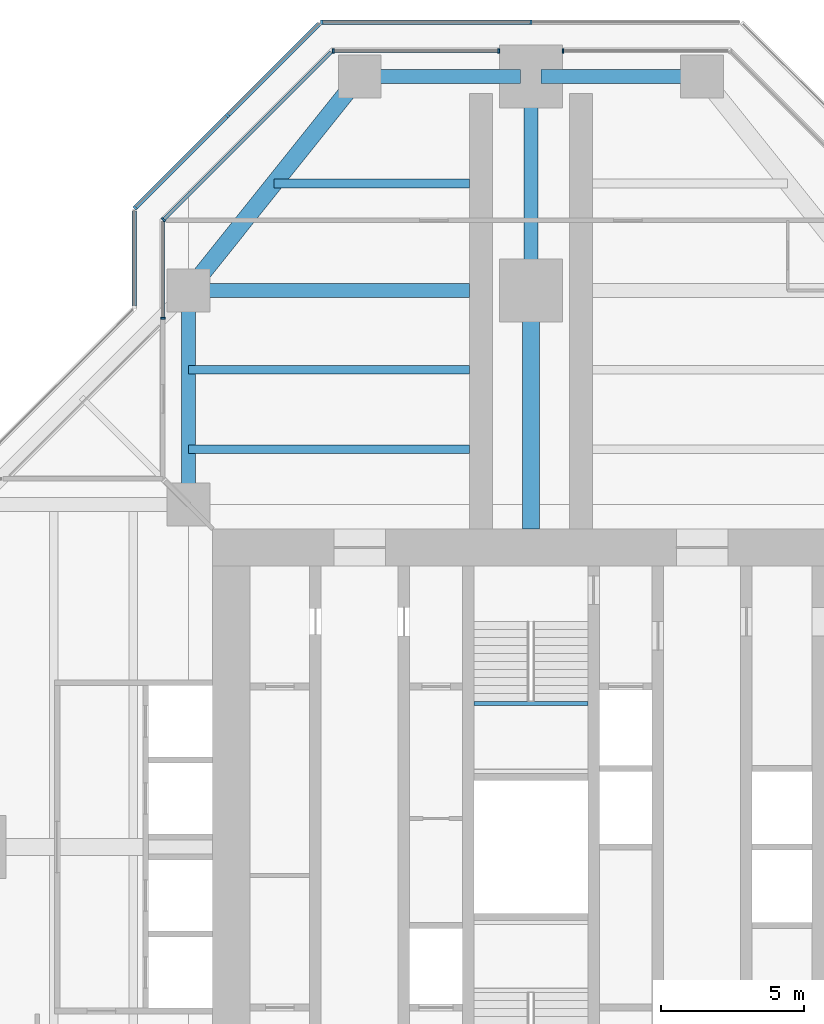
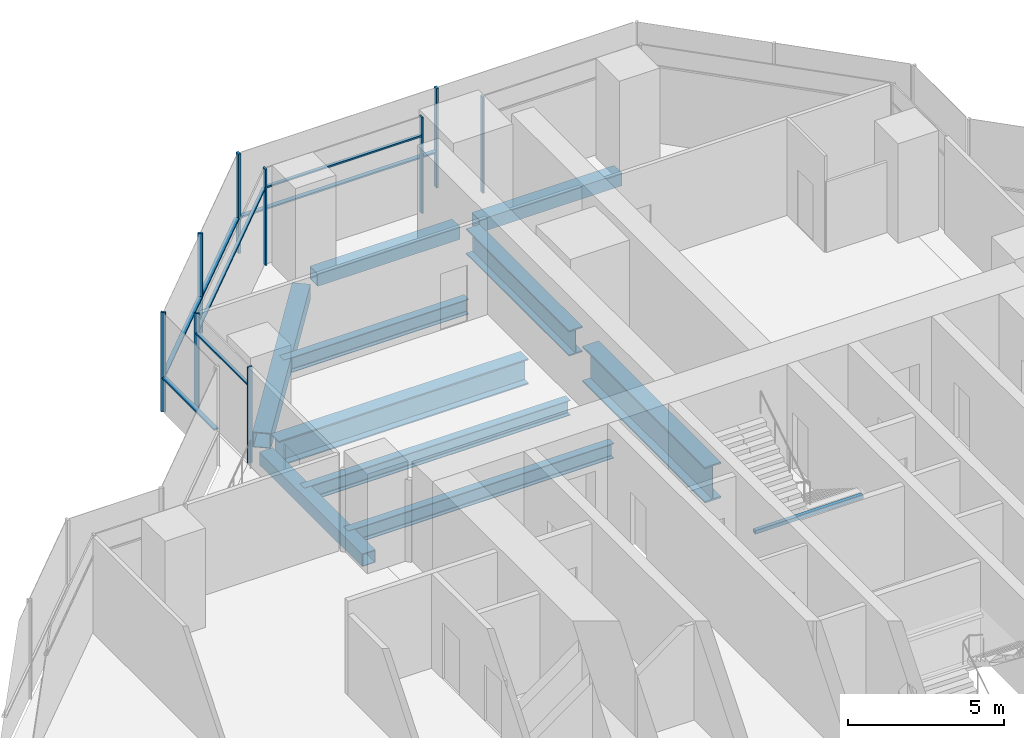
# One storey, part 7 of 17: 16 members, 11 beams, 7 elements without a shape of their own.
"""IFC4 building model written with IfcOpenShell, lengths in metres."""

from ifc_helpers import new_model, si_unit, direction, frame, origin, origin_2d, place, context, subcontext, project, spatial, rectangle, hollow_rectangle, i_section, extrude, material, material_profile, profile_set, type_object, element, aggregate, save


model = new_model("IFC4")

# Units and contexts
model_context = context("Model", 3, precision=1e-05, world=origin(), true_north=direction((0.0, 1.0)))
body_context = subcontext(model_context, "Body", "Model", "MODEL_VIEW")
ifc_project = project(units=[si_unit("LENGTHUNIT", "METRE"), si_unit("AREAUNIT", "SQUARE_METRE"), si_unit("VOLUMEUNIT", "CUBIC_METRE"), si_unit("PLANEANGLEUNIT", "RADIAN"), si_unit("MASSUNIT", "GRAM", prefix="KILO")], contexts=[model_context])

# Site, building, storey
site_placement = place(None, origin())
site = spatial("IfcSite", under=ifc_project, at=site_placement, CompositionType="ELEMENT")
building_placement = place(site_placement, origin())
building = spatial("IfcBuilding", under=site, at=building_placement, Name="Mizan Broadcast Tower", CompositionType="ELEMENT")
storey_placement = place(building_placement, frame((0.0, 0.0, 216.60009765625)))
storey = spatial("IfcBuildingStorey", under=building, at=storey_placement, Name="L50", CompositionType="ELEMENT", Elevation=216.60009765625)

# Beams
ifc_material_1 = material(Name="Steel S355", Category="steel")
ifc_material_profile_1 = material_profile(ifc_material_1, hollow_rectangle(XDim=0.5, YDim=0.5, WallThickness=0.030029296875, at=origin_2d()), Name="BOX 500x500x30")
ifc_profile_set_1 = profile_set([ifc_material_profile_1], Name="Steel S355")
beam_type_1 = type_object("IfcBeamType", Name="EDGE BEAM BOX 500x500x30", PredefinedType="SPANDREL", material=ifc_profile_set_1)
beam_1_placement = place(storey_placement, frame((5.639892578125, 27.0, -0.380126953125), z_axis=(-1.0, 0.0, 0.0), x_axis=(0.0, -1.0, 0.0)))
element("IfcBeam", 1, at=beam_1_placement, inside=storey, type_object=beam_type_1, Name="Edge beam BOX 500x500x30 L50 north arm", PredefinedType="SPANDREL", context=body_context, shape_type="SweptSolid", body=[
    extrude(hollow_rectangle(XDim=0.5, YDim=0.5, WallThickness=0.030029296875, at=origin_2d()), origin(), (0.0, 0.0, 1.0), 5.27978515625),
])
beam_2_placement = place(storey_placement, frame((-12.0, 12.449951171875, -0.380126953125), z_axis=(0.0, 1.0, 0.0), x_axis=(-1.0, 0.0, 0.0)))
element("IfcBeam", 2, at=beam_2_placement, inside=storey, type_object=beam_type_1, Name="Edge beam BOX 500x500x30 L50 north arm", PredefinedType="SPANDREL", context=body_context, shape_type="SweptSolid", body=[
    extrude(hollow_rectangle(XDim=0.5, YDim=0.5, WallThickness=0.030029296875, at=origin_2d()), origin(), (0.0, 0.0, 1.0), 6.60009765625),
])
beam_3_placement = place(storey_placement, frame((-5.639892578125, 27.0, -0.380126953125), z_axis=(1.0, 0.0, 0.0), x_axis=(0.0, 1.0, 0.0)))
element("IfcBeam", 3, at=beam_3_placement, inside=storey, type_object=beam_type_1, Name="Edge beam BOX 500x500x30 L50 north arm", PredefinedType="SPANDREL", context=body_context, shape_type="SweptSolid", body=[
    extrude(hollow_rectangle(XDim=0.5, YDim=0.5, WallThickness=0.030029296875, at=origin_2d()), origin(), (0.0, 0.0, 1.0), 5.27978515625),
])
ifc_material_2 = material(Name="Steel S355", Category="steel")
ifc_material_profile_2 = material_profile(ifc_material_2, hollow_rectangle(XDim=0.60009765625, YDim=0.60009765625, WallThickness=0.030029296875, at=origin_2d()), Name="BOX 600x600x30")
ifc_profile_set_2 = profile_set([ifc_material_profile_2], Name="Steel S355")
beam_type_2 = type_object("IfcBeamType", Name="EDGE BEAM BOX 600x600x30", PredefinedType="SPANDREL", material=ifc_profile_set_2)
beam_4_placement = place(storey_placement, frame((-11.639892578125, 19.949951171875, -0.43017578125), z_axis=(0.624673911726, 0.780885717636, 0.0), x_axis=(-0.780885717636, 0.624673911726, 0.0)))
element("IfcBeam", 4, at=beam_4_placement, inside=storey, type_object=beam_type_2, Name="Edge beam BOX 600x600x30 L50 north arm", PredefinedType="SPANDREL", context=body_context, shape_type="SweptSolid", body=[
    extrude(hollow_rectangle(XDim=0.60009765625, YDim=0.60009765625, WallThickness=0.030029296875, at=origin_2d()), origin(), (0.0, 0.0, 1.0), 8.4521484375),
])
ifc_material_3 = material(Name="Steel S460", Category="steel")
ifc_material_profile_3 = material_profile(ifc_material_3, i_section(OverallWidth=0.5, OverallDepth=1.0, WebThickness=0.02490234375, FlangeThickness=0.050048828125, at=origin_2d()), Name="WPG 1000x500")
ifc_profile_set_3 = profile_set([ifc_material_profile_3], Name="Steel S460")
beam_type_3 = type_object("IfcBeamType", Name="GIRDER WPG 1000x500", PredefinedType="BEAM", material=ifc_profile_set_3)
beam_5_placement = place(storey_placement, frame((0.0, 19.949951171875, -0.630126953125), z_axis=(0.0, 1.0, 0.0), x_axis=(-1.0, 0.0, 0.0)))
element("IfcBeam", 5, at=beam_5_placement, inside=storey, type_object=beam_type_3, Name="Girder WPG 1000x500 L50 north arm", PredefinedType="BEAM", context=body_context, shape_type="SweptSolid", body=[
    extrude(i_section(OverallWidth=0.5, OverallDepth=1.0, WebThickness=0.02490234375, FlangeThickness=0.050048828125, at=origin_2d()), origin(), (0.0, 0.0, 1.0), 6.60009765625),
])
beam_6_placement = place(storey_placement, frame((-11.408935546875, 19.5, -0.630126953125), z_axis=(1.0, 0.0, 0.0), x_axis=(0.0, 1.0, 0.0)))
element("IfcBeam", 6, at=beam_6_placement, inside=storey, type_object=beam_type_3, Name="Girder WPG 1000x500 L50 north arm", PredefinedType="BEAM", context=body_context, shape_type="SweptSolid", body=[
    extrude(i_section(OverallWidth=0.5, OverallDepth=1.0, WebThickness=0.02490234375, FlangeThickness=0.050048828125, at=origin_2d()), origin(), (0.0, 0.0, 1.0), 9.259033203125),
])
ifc_material_4 = material(Name="Steel S460", Category="steel")
ifc_material_profile_4 = material_profile(ifc_material_4, i_section(OverallWidth=0.60009765625, OverallDepth=1.39990234375, WebThickness=0.02490234375, FlangeThickness=0.06005859375, at=origin_2d()), Name="WPG 1400x600")
ifc_profile_set_4 = profile_set([ifc_material_profile_4], Name="Steel S460")
beam_type_4 = type_object("IfcBeamType", Name="GIRDER WPG 1400x600", PredefinedType="BEAM", material=ifc_profile_set_4)
beam_7_placement = place(storey_placement, frame((0.0, 11.14990234375, -0.830078125), z_axis=(0.0, 1.0, 0.0), x_axis=(-1.0, 0.0, 0.0)))
element("IfcBeam", 7, at=beam_7_placement, inside=storey, type_object=beam_type_4, Name="Girder WPG 1400x600 L50 north arm", PredefinedType="BEAM", context=body_context, shape_type="SweptSolid", body=[
    extrude(i_section(OverallWidth=0.60009765625, OverallDepth=1.39990234375, WebThickness=0.02490234375, FlangeThickness=0.06005859375, at=origin_2d()), origin(), (0.0, 0.0, 1.0), 7.84912109375),
])

# Curtain wall, member
ifc_material_5 = material(Name="Aluminium framed glazing", Category="aluminium")
curtain_wall_type_1 = type_object("IfcCurtainWallType", Name="INNER SKIN HIGH ZONE", PredefinedType="USERDEFINED", material=ifc_material_5)
curtain_wall_1_placement = place(storey_placement, origin())
curtain_wall_1 = element("IfcCurtainWall", 8, at=curtain_wall_1_placement, inside=storey, type_object=curtain_wall_type_1, Name="Inner skin high zone L50 N end", ObjectType="INNER SKIN HIGH ZONE", PredefinedType="USERDEFINED")
ifc_material_6 = material(Name="Aluminium, pale anodised", Category="aluminium")
ifc_material_profile_5 = material_profile(ifc_material_6, rectangle(XDim=0.159912109375, YDim=0.06005859375, at=origin_2d()), Name="MULLION 160x60")
ifc_profile_set_5 = profile_set([ifc_material_profile_5], Name="Aluminium, pale anodised")
member_type_1 = type_object("IfcMemberType", Name="INNER SKIN MULLION 60x160", PredefinedType="MULLION", material=ifc_profile_set_5)
member_1_placement = place(storey_placement, frame((1.1298828125, 27.89990234375, 0.0), z_axis=(0.0, 0.0, 1.0), x_axis=(0.0, -1.0, 0.0)))
member_1 = element("IfcMember", 9, at=member_1_placement, type_object=member_type_1, Name="Inner skin high zone L50 N end mullion 2", PredefinedType="MULLION", context=body_context, shape_type="SweptSolid", body=[
    extrude(rectangle(XDim=0.159912109375, YDim=0.06005859375, at=origin_2d()), origin(), (0.0, 0.0, 1.0), 3.77001953125),
])
aggregate(curtain_wall_1, [member_1])

# Curtain wall, members
curtain_wall_2_placement = place(storey_placement, origin())
curtain_wall_2 = element("IfcCurtainWall", 10, at=curtain_wall_2_placement, inside=storey, type_object=curtain_wall_type_1, Name="Inner skin high zone L50 N end", ObjectType="INNER SKIN HIGH ZONE", PredefinedType="USERDEFINED")
member_2_placement = place(storey_placement, frame((-1.1298828125, 27.89990234375, 0.0), z_axis=(0.0, 0.0, 1.0), x_axis=(0.0, -1.0, 0.0)))
member_2 = element("IfcMember", 11, at=member_2_placement, type_object=member_type_1, Name="Inner skin high zone L50 N end mullion 1", PredefinedType="MULLION", context=body_context, shape_type="SweptSolid", body=[
    extrude(rectangle(XDim=0.159912109375, YDim=0.06005859375, at=origin_2d()), origin(), (0.0, 0.0, 1.0), 3.77001953125),
])
member_3_placement = place(storey_placement, frame((-6.928466796875, 27.89990234375, 0.0), z_axis=(0.0, 0.0, 1.0), x_axis=(0.0, -1.0, 0.0)))
member_3 = element("IfcMember", 12, at=member_3_placement, type_object=member_type_1, Name="Inner skin high zone L50 N end mullion 2", PredefinedType="MULLION", context=body_context, shape_type="SweptSolid", body=[
    extrude(rectangle(XDim=0.159912109375, YDim=0.06005859375, at=origin_2d()), origin(), (0.0, 0.0, 1.0), 3.77001953125),
])

# Curtain wall, member
curtain_wall_3_placement = place(storey_placement, origin())
curtain_wall_3 = element("IfcCurtainWall", 13, at=curtain_wall_3_placement, inside=storey, type_object=curtain_wall_type_1, Name="Inner skin high zone L50 N chamfer", ObjectType="INNER SKIN HIGH ZONE", PredefinedType="USERDEFINED")
member_4_placement = place(storey_placement, frame((-12.87890625, 21.979736328125, 0.0), z_axis=(0.0, 0.0, 1.0), x_axis=(0.707106781187, -0.707106781187, 0.0)))
member_4 = element("IfcMember", 14, at=member_4_placement, type_object=member_type_1, Name="Inner skin high zone L50 N chamfer mullion 2", PredefinedType="MULLION", context=body_context, shape_type="SweptSolid", body=[
    extrude(rectangle(XDim=0.159912109375, YDim=0.06005859375, at=origin_2d()), origin(), (0.0, 0.0, 1.0), 3.77001953125),
])

curtain_wall_4_placement = place(storey_placement, origin())
curtain_wall_4 = element("IfcCurtainWall", 15, at=curtain_wall_4_placement, inside=storey, type_object=curtain_wall_type_1, Name="Inner skin high zone L50 N side", ObjectType="INNER SKIN HIGH ZONE", PredefinedType="USERDEFINED")
member_5_placement = place(storey_placement, frame((-12.89990234375, 18.530029296875, 0.0), z_axis=(0.0, 0.0, 1.0), x_axis=(1.0, 0.0, 0.0)))
member_5 = element("IfcMember", 16, at=member_5_placement, type_object=member_type_1, Name="Inner skin high zone L50 N side mullion 2", PredefinedType="MULLION", context=body_context, shape_type="SweptSolid", body=[
    extrude(rectangle(XDim=0.159912109375, YDim=0.06005859375, at=origin_2d()), origin(), (0.0, 0.0, 1.0), 3.77001953125),
])

# Member
ifc_material_7 = material(Name="Aluminium, pale anodised", Category="aluminium")
ifc_material_profile_6 = material_profile(ifc_material_7, rectangle(XDim=0.1201171875, YDim=0.06005859375, at=origin_2d()), Name="TRANSOM 120x60")
ifc_profile_set_6 = profile_set([ifc_material_profile_6], Name="Aluminium, pale anodised")
member_type_2 = type_object("IfcMemberType", Name="INNER SKIN TRANSOM 60x120", PredefinedType="USERDEFINED", material=ifc_profile_set_6)
member_6_placement = place(storey_placement, frame((-1.159912109375, 27.89990234375, 3.02978515625), z_axis=(-1.0, 0.0, 0.0), x_axis=(0.0, -1.0, 0.0)))
member_6 = element("IfcMember", 17, at=member_6_placement, type_object=member_type_2, Name="Inner skin high zone L50 N end transom 1.1", ObjectType="TRANSOM", PredefinedType="USERDEFINED", context=body_context, shape_type="SweptSolid", body=[
    extrude(rectangle(XDim=0.1201171875, YDim=0.06005859375, at=origin_2d()), origin(), (0.0, 0.0, 1.0), 5.73876953125),
])

aggregate(curtain_wall_2, [member_2, member_3, member_6])

member_7_placement = place(storey_placement, frame((-7.0009765625, 27.857666015625, 3.02978515625), z_axis=(-0.707106781187, -0.707106781187, 0.0), x_axis=(0.707106781187, -0.707106781187, 0.0)))
member_7 = element("IfcMember", 18, at=member_7_placement, type_object=member_type_2, Name="Inner skin high zone L50 N chamfer transom 1.1", ObjectType="TRANSOM", PredefinedType="USERDEFINED", context=body_context, shape_type="SweptSolid", body=[
    extrude(rectangle(XDim=0.1201171875, YDim=0.06005859375, at=origin_2d()), origin(), (0.0, 0.0, 1.0), 8.28271484375),
])

aggregate(curtain_wall_3, [member_4, member_7])

member_8_placement = place(storey_placement, frame((-12.89990234375, 21.898681640625, 3.02978515625), z_axis=(0.0, -1.0, 0.0), x_axis=(1.0, 0.0, 0.0)))
member_8 = element("IfcMember", 19, at=member_8_placement, type_object=member_type_2, Name="Inner skin high zone L50 N side transom 1.1", ObjectType="TRANSOM", PredefinedType="USERDEFINED", context=body_context, shape_type="SweptSolid", body=[
    extrude(rectangle(XDim=0.1201171875, YDim=0.06005859375, at=origin_2d()), origin(), (0.0, 0.0, 1.0), 3.338623046875),
])

aggregate(curtain_wall_4, [member_5, member_8])

# Beam
ifc_material_8 = material(Name="Steel S355", Category="steel")
ifc_material_profile_7 = material_profile(ifc_material_8, hollow_rectangle(XDim=0.14990234375, YDim=0.14990234375, WallThickness=0.008056640625, InnerFilletRadius=0.008056640625, OuterFilletRadius=0.011962890625, at=origin_2d()), Name="SHS 150x150x8")
ifc_profile_set_7 = profile_set([ifc_material_profile_7], Name="Steel S355")
beam_type_5 = type_object("IfcBeamType", Name="LANDING TRIMMER SHS 150x150x8", PredefinedType="BEAM", material=ifc_profile_set_7)
beam_8_placement = place(storey_placement, frame((2.0, 5.02490234375, 1.6748046875), z_axis=(-1.0, 0.0, 0.0), x_axis=(0.0, -1.0, 0.0)))
element("IfcBeam", 20, at=beam_8_placement, inside=storey, type_object=beam_type_5, Name="Stair B landing trimmer L50", PredefinedType="BEAM", context=body_context, shape_type="SweptSolid", body=[
    extrude(hollow_rectangle(XDim=0.14990234375, YDim=0.14990234375, WallThickness=0.008056640625, InnerFilletRadius=0.008056640625, OuterFilletRadius=0.011962890625, at=origin_2d()), origin(), (0.0, 0.0, 1.0), 4.0),
])

# Curtain wall, members
ifc_material_9 = material(Name="Aluminium framed glazing", Category="aluminium")
curtain_wall_type_2 = type_object("IfcCurtainWallType", Name="OUTER SKIN", PredefinedType="USERDEFINED", material=ifc_material_9)
curtain_wall_5_placement = place(storey_placement, origin())
curtain_wall_5 = element("IfcCurtainWall", 21, at=curtain_wall_5_placement, inside=storey, type_object=curtain_wall_type_2, Name="Outer skin L50 N end", ObjectType="OUTER SKIN", PredefinedType="USERDEFINED")
ifc_material_10 = material(Name="Aluminium, pale anodised", Category="aluminium")
ifc_material_profile_8 = material_profile(ifc_material_10, rectangle(XDim=0.159912109375, YDim=0.080078125, at=origin_2d()), Name="MULLION 160x80")
ifc_profile_set_8 = profile_set([ifc_material_profile_8], Name="Aluminium, pale anodised")
member_type_3 = type_object("IfcMemberType", Name="OUTER SKIN MULLION 80x160", PredefinedType="MULLION", material=ifc_profile_set_8)
member_9_placement = place(storey_placement, frame((0.0, 28.89990234375, 0.0), z_axis=(0.0, 0.0, 1.0), x_axis=(0.0, -1.0, 0.0)))
member_9 = element("IfcMember", 22, at=member_9_placement, type_object=member_type_3, Name="Outer skin L50 N end mullion 2", PredefinedType="MULLION", context=body_context, shape_type="SweptSolid", body=[
    extrude(rectangle(XDim=0.159912109375, YDim=0.080078125, at=origin_2d()), origin(), (0.0, 0.0, 1.0), 3.89990234375),
])
member_10_placement = place(storey_placement, frame((-7.332763671875, 28.89990234375, 0.0), z_axis=(0.0, 0.0, 1.0), x_axis=(0.0, -1.0, 0.0)))
member_10 = element("IfcMember", 23, at=member_10_placement, type_object=member_type_3, Name="Outer skin L50 N end mullion 3", PredefinedType="MULLION", context=body_context, shape_type="SweptSolid", body=[
    extrude(rectangle(XDim=0.159912109375, YDim=0.080078125, at=origin_2d()), origin(), (0.0, 0.0, 1.0), 3.89990234375),
])

curtain_wall_6_placement = place(storey_placement, origin())
curtain_wall_6 = element("IfcCurtainWall", 24, at=curtain_wall_6_placement, inside=storey, type_object=curtain_wall_type_2, Name="Outer skin L50 N chamfer", ObjectType="OUTER SKIN", PredefinedType="USERDEFINED")
member_11_placement = place(storey_placement, frame((-10.636474609375, 25.636474609375, 0.0), z_axis=(0.0, 0.0, 1.0), x_axis=(0.707106781187, -0.707106781187, 0.0)))
member_11 = element("IfcMember", 25, at=member_11_placement, type_object=member_type_3, Name="Outer skin L50 N chamfer mullion 2", PredefinedType="MULLION", context=body_context, shape_type="SweptSolid", body=[
    extrude(rectangle(XDim=0.159912109375, YDim=0.080078125, at=origin_2d()), origin(), (0.0, 0.0, 1.0), 3.89990234375),
])
member_12_placement = place(storey_placement, frame((-13.871826171875, 22.401123046875, 0.0), z_axis=(0.0, 0.0, 1.0), x_axis=(0.707106781187, -0.707106781187, 0.0)))
member_12 = element("IfcMember", 26, at=member_12_placement, type_object=member_type_3, Name="Outer skin L50 N chamfer mullion 3", PredefinedType="MULLION", context=body_context, shape_type="SweptSolid", body=[
    extrude(rectangle(XDim=0.159912109375, YDim=0.080078125, at=origin_2d()), origin(), (0.0, 0.0, 1.0), 3.89990234375),
])

# Member
ifc_material_11 = material(Name="Aluminium, pale anodised", Category="aluminium")
ifc_material_profile_9 = material_profile(ifc_material_11, rectangle(XDim=0.159912109375, YDim=0.06005859375, at=origin_2d()), Name="TRANSOM 160x60")
ifc_profile_set_9 = profile_set([ifc_material_profile_9], Name="Aluminium, pale anodised")
member_type_4 = type_object("IfcMemberType", Name="OUTER SKIN TRANSOM 60x160", PredefinedType="USERDEFINED", material=ifc_profile_set_9)
member_13_placement = place(storey_placement, frame((-0.0400390625, 28.89990234375, 1.39990234375), z_axis=(-1.0, 0.0, 0.0), x_axis=(0.0, -1.0, 0.0)))
member_13 = element("IfcMember", 27, at=member_13_placement, type_object=member_type_4, Name="Outer skin L50 N end transom 2.1", ObjectType="TRANSOM", PredefinedType="USERDEFINED", context=body_context, shape_type="SweptSolid", body=[
    extrude(rectangle(XDim=0.159912109375, YDim=0.06005859375, at=origin_2d()), origin(), (0.0, 0.0, 1.0), 7.252685546875),
])

aggregate(curtain_wall_5, [member_9, member_10, member_13])

member_14_placement = place(storey_placement, frame((-7.429443359375, 28.843505859375, 1.39990234375), z_axis=(-0.707106781187, -0.707106781187, 0.0), x_axis=(0.707106781187, -0.707106781187, 0.0)))
member_14 = element("IfcMember", 28, at=member_14_placement, type_object=member_type_4, Name="Outer skin L50 N chamfer transom 1.1", ObjectType="TRANSOM", PredefinedType="USERDEFINED", context=body_context, shape_type="SweptSolid", body=[
    extrude(rectangle(XDim=0.159912109375, YDim=0.06005859375, at=origin_2d()), origin(), (0.0, 0.0, 1.0), 4.495361328125),
])

member_15_placement = place(storey_placement, frame((-10.664794921875, 25.608154296875, 1.39990234375), z_axis=(-0.707106781187, -0.707106781187, 0.0), x_axis=(0.707106781187, -0.707106781187, 0.0)))
member_15 = element("IfcMember", 29, at=member_15_placement, type_object=member_type_4, Name="Outer skin L50 N chamfer transom 2.1", ObjectType="TRANSOM", PredefinedType="USERDEFINED", context=body_context, shape_type="SweptSolid", body=[
    extrude(rectangle(XDim=0.159912109375, YDim=0.06005859375, at=origin_2d()), origin(), (0.0, 0.0, 1.0), 4.495361328125),
])

aggregate(curtain_wall_6, [member_11, member_12, member_14, member_15])

# Curtain wall, member
curtain_wall_7_placement = place(storey_placement, origin())
curtain_wall_7 = element("IfcCurtainWall", 30, at=curtain_wall_7_placement, inside=storey, type_object=curtain_wall_type_2, Name="Outer skin L50 N side", ObjectType="OUTER SKIN", PredefinedType="USERDEFINED")
member_16_placement = place(storey_placement, frame((-13.89990234375, 22.292724609375, 1.39990234375), z_axis=(0.0, -1.0, 0.0), x_axis=(1.0, 0.0, 0.0)))
member_16 = element("IfcMember", 31, at=member_16_placement, type_object=member_type_4, Name="Outer skin L50 N side transom 1.1", ObjectType="TRANSOM", PredefinedType="USERDEFINED", context=body_context, shape_type="SweptSolid", body=[
    extrude(rectangle(XDim=0.159912109375, YDim=0.06005859375, at=origin_2d()), origin(), (0.0, 0.0, 1.0), 3.33984375),
])
aggregate(curtain_wall_7, [member_16])

# Beams
ifc_material_12 = material(Name="Steel S355", Category="steel")
ifc_material_profile_10 = material_profile(ifc_material_12, i_section(OverallWidth=0.300048828125, OverallDepth=0.590087890625, WebThickness=0.012939453125, FlangeThickness=0.02490234375, FilletRadius=0.027099609375, at=origin_2d()), Name="HEA 600")
ifc_profile_set_10 = profile_set([ifc_material_profile_10], Name="Steel S355")
beam_type_6 = type_object("IfcBeamType", Name="SECONDARY BEAM HEA 600", PredefinedType="JOIST", material=ifc_profile_set_10)
for number, where, z_axis, x_axis, name in (
    (32, (-12.0, 13.933349609375, -0.425048828125), (1.0, 0.0, 0.0), (0.0, 1.0, 0.0), "Secondary beam HEA 600 L50 north arm"),
    (33, (-12.0, 16.716552734375, -0.425048828125), (1.0, 0.0, 0.0), (0.0, 1.0, 0.0), "Secondary beam HEA 600 L50 north arm"),
):
    element("IfcBeam", number, at=place(storey_placement, frame(where, z_axis=z_axis, x_axis=x_axis)), inside=storey, type_object=beam_type_6, Name=name, PredefinedType="JOIST", context=body_context, shape_type="SweptSolid", body=[
        extrude(i_section(OverallWidth=0.300048828125, OverallDepth=0.590087890625, WebThickness=0.012939453125, FlangeThickness=0.02490234375, FilletRadius=0.027099609375, at=origin_2d()), origin(), (0.0, 0.0, 1.0), 9.85009765625),
    ])
beam_9_placement = place(storey_placement, frame((-9.0, 23.25, -0.425048828125), z_axis=(1.0, 0.0, 0.0), x_axis=(0.0, 1.0, 0.0)))
element("IfcBeam", 34, at=beam_9_placement, inside=storey, type_object=beam_type_6, Name="Secondary beam HEA 600 L50 north arm", PredefinedType="JOIST", context=body_context, shape_type="SweptSolid", body=[
    extrude(i_section(OverallWidth=0.300048828125, OverallDepth=0.590087890625, WebThickness=0.012939453125, FlangeThickness=0.02490234375, FilletRadius=0.027099609375, at=origin_2d()), origin(), (0.0, 0.0, 1.0), 6.85009765625),
])

save(model, "model.ifc")
